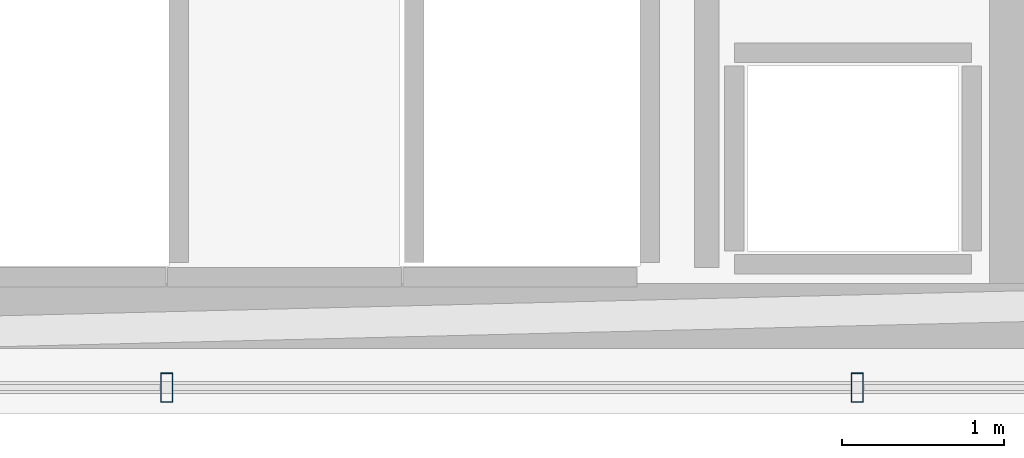
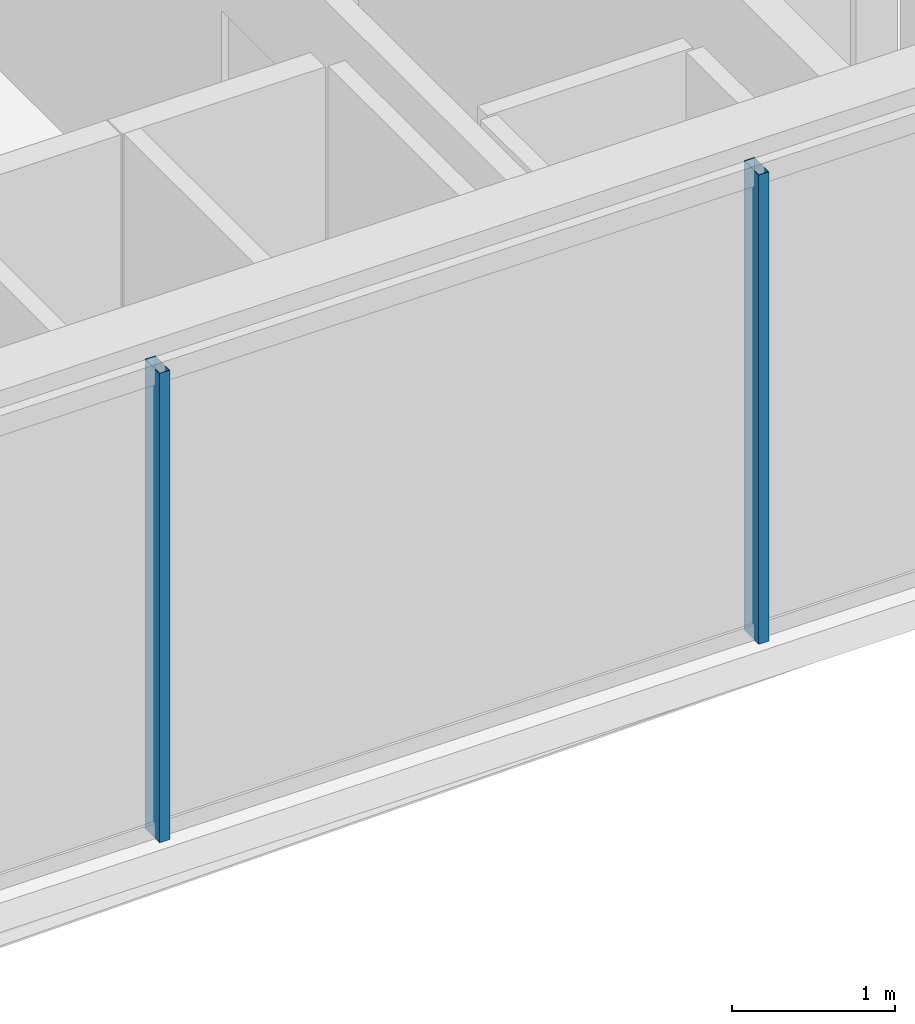
# One storey, part 8 of 34: 2 members, 1 element without a shape of its own.
"""IFC4 building model written with IfcOpenShell, lengths in metres."""

from ifc_helpers import new_model, si_unit, direction, frame, origin, origin_2d, place, context, subcontext, project, spatial, hollow_rectangle, extrude, material, layer, layer_set, material_profile, profile_set, type_object, element, aggregate, save


model = new_model("IFC4")

# Units and contexts
model_context = context("Model", 3, precision=1e-05, world=origin(), true_north=direction((0.0, 1.0)))
body_context = subcontext(model_context, "Body", "Model", "MODEL_VIEW")
ifc_project = project(units=[si_unit("LENGTHUNIT", "METRE"), si_unit("AREAUNIT", "SQUARE_METRE"), si_unit("VOLUMEUNIT", "CUBIC_METRE"), si_unit("PLANEANGLEUNIT", "RADIAN"), si_unit("MASSUNIT", "GRAM", prefix="KILO")], contexts=[model_context])

# Site, building, storey
site_placement = place(None, origin())
site = spatial("IfcSite", under=ifc_project, at=site_placement, CompositionType="ELEMENT")
building_placement = place(site_placement, origin())
building = spatial("IfcBuilding", under=site, at=building_placement, Name="Ndaravel Arena Tower", CompositionType="ELEMENT")
storey_placement = place(building_placement, frame((0.0, 0.0, 199.199951171875)))
storey = spatial("IfcBuildingStorey", under=building, at=storey_placement, Name="L48", CompositionType="ELEMENT", Elevation=199.199951171875)

# Curtain wall, members
ifc_material_1 = material(Name="Aluminium", Category="aluminium")
ifc_layer = layer(ifc_material_1, 0.179931640625)
ifc_layer_set = layer_set([ifc_layer], Name="Aluminium")
curtain_wall_type = type_object("IfcCurtainWallType", Name="CW-SYS-03", PredefinedType="NOTDEFINED", material=ifc_layer_set)
curtain_wall_placement = place(storey_placement, origin())
curtain_wall = element("IfcCurtainWall", 1, at=curtain_wall_placement, inside=storey, type_object=curtain_wall_type, Name="L48 Faceted Crystal Curtain Wall CW-L48-E01", PredefinedType="NOTDEFINED")
ifc_material_2 = material(Name="Aluminium", Category="aluminium")
ifc_material_profile = material_profile(ifc_material_2, hollow_rectangle(XDim=0.074951171875, YDim=0.179931640625, WallThickness=0.00390625, at=origin_2d()), Name="CW MULLION 75x180x4")
ifc_profile_set = profile_set([ifc_material_profile], Name="Aluminium")
member_type = type_object("IfcMemberType", Name="MEM-CW-MUL180", PredefinedType="MULLION", material=ifc_profile_set)
member_1_placement = place(storey_placement, frame((44.12548828125, 5.159912109375, 0.0), z_axis=(0.0, 0.0, 1.0), x_axis=(1.0, 0.0, 0.0)))
member_1 = element("IfcMember", 2, at=member_1_placement, type_object=member_type, Name="CW-L48-E01 Mullion 05", PredefinedType="MULLION", context=body_context, shape_type="SweptSolid", body=[
    extrude(hollow_rectangle(XDim=0.074951171875, YDim=0.179931640625, WallThickness=0.00390625, at=origin_2d()), origin(), (0.0, 0.0, 1.0), 3.52001953125),
])
member_2_placement = place(storey_placement, frame((48.376220703125, 5.159912109375, 0.0), z_axis=(0.0, 0.0, 1.0), x_axis=(1.0, 0.0, 0.0)))
member_2 = element("IfcMember", 3, at=member_2_placement, type_object=member_type, Name="CW-L48-E01 Mullion 06", PredefinedType="MULLION", context=body_context, shape_type="SweptSolid", body=[
    extrude(hollow_rectangle(XDim=0.074951171875, YDim=0.179931640625, WallThickness=0.00390625, at=origin_2d()), origin(), (0.0, 0.0, 1.0), 3.52001953125),
])
aggregate(curtain_wall, [member_1, member_2])

save(model, "model.ifc")
